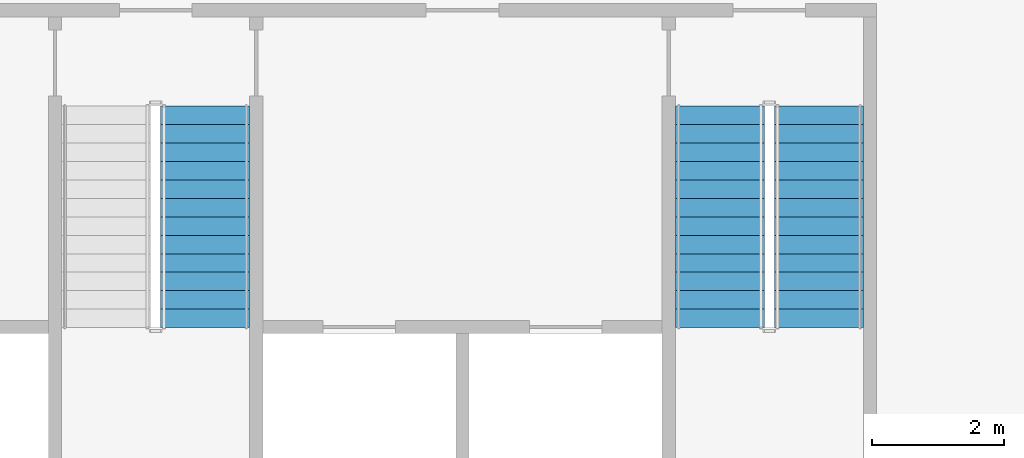
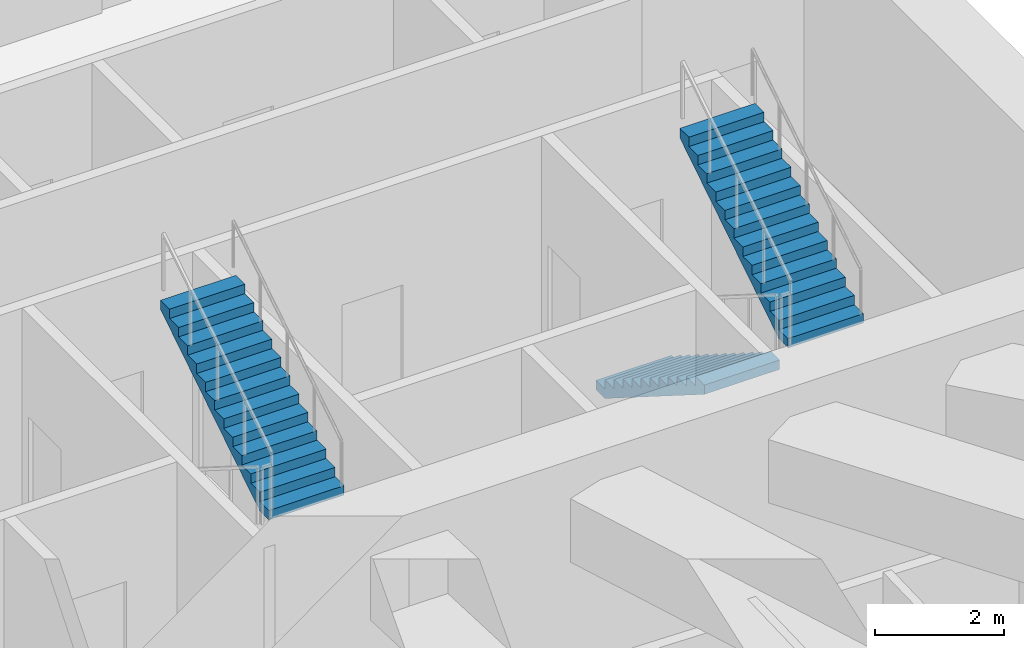
# One storey, part 15 of 20: 3 stair flights, 2 elements without a shape of their own.
"""IFC4 building model written with IfcOpenShell, lengths in metres."""

from ifc_helpers import new_model, si_unit, direction, frame, origin, place, context, subcontext, project, spatial, polyline, outline, extrude, material, type_object, element, aggregate, save


model = new_model("IFC4")

# Units and contexts
model_context = context("Model", 3, precision=1e-05, world=origin(), true_north=direction((0.0, 1.0)))
body_context = subcontext(model_context, "Body", "Model", "MODEL_VIEW")
ifc_project = project(units=[si_unit("LENGTHUNIT", "METRE"), si_unit("AREAUNIT", "SQUARE_METRE"), si_unit("VOLUMEUNIT", "CUBIC_METRE"), si_unit("PLANEANGLEUNIT", "RADIAN"), si_unit("MASSUNIT", "GRAM", prefix="KILO")], contexts=[model_context])

# Site, building, storey
site_placement = place(None, origin())
site = spatial("IfcSite", under=ifc_project, at=site_placement, CompositionType="ELEMENT")
building_placement = place(site_placement, origin())
building = spatial("IfcBuilding", under=site, at=building_placement, Name="Mangrove Gate Tower", CompositionType="ELEMENT")
storey_placement = place(building_placement, frame((0.0, 0.0, 97.300048828125)))
storey = spatial("IfcBuildingStorey", under=building, at=storey_placement, Name="L24", CompositionType="ELEMENT", Elevation=97.300048828125)

# Stair, stair flight
ifc_material_1 = material(Name="Concrete C40/50", Category="concrete")
stair_type = type_object("IfcStairType", Name="Core stair 1350", PredefinedType="HALF_TURN_STAIR", material=ifc_material_1)
stair_1_placement = place(storey_placement, origin())
stair_1 = element("IfcStair", 1, at=stair_1_placement, inside=storey, type_object=stair_type, Name="L24 Stair 2", PredefinedType="HALF_TURN_STAIR")
ifc_material_2 = material(Name="Concrete C40/50", Category="concrete")
stair_flight_type = type_object("IfcStairFlightType", Name="Core stair flight 1350", PredefinedType="STRAIGHT", material=ifc_material_2)
stair_flight_1_placement = place(storey_placement, frame((0.72509765625, -8.010009765625, 2.300048828125), z_axis=(0.0, 0.0, 1.0), x_axis=(0.0, 1.0, 0.0)))
stair_flight_1 = element("IfcStairFlight", 2, at=stair_flight_1_placement, type_object=stair_flight_type, Name="ST2 flight 2", NumberOfRisers=13, NumberOfTreads=12, PredefinedType="STRAIGHT", RiserHeight=0.176923077, TreadLength=0.28, context=body_context, shape_type="SweptSolid", body=[
    extrude(outline(polyline([(0.0, 0.0), (0.0, 0.177001953125), (0.280029296875, 0.177001953125), (0.280029296875, 0.353759765625), (0.56005859375, 0.353759765625), (0.56005859375, 0.53076171875), (0.840087890625, 0.53076171875), (0.840087890625, 0.707763671875), (1.1201171875, 0.707763671875), (1.1201171875, 0.884521484375), (1.39990234375, 0.884521484375), (1.39990234375, 1.0615234375), (1.679931640625, 1.0615234375), (1.679931640625, 1.238525390625), (1.9599609375, 1.238525390625), (1.9599609375, 1.415283203125), (2.239990234375, 1.415283203125), (2.239990234375, 1.59228515625), (2.52001953125, 1.59228515625), (2.52001953125, 1.769287109375), (2.800048828125, 1.769287109375), (2.800048828125, 1.946044921875), (3.080078125, 1.946044921875), (3.080078125, 2.123046875), (3.360107421875, 2.123046875), (3.360107421875, 2.300048828125), (3.360107421875, 1.94580078125), (0.280517578125, 0.0), (0.0, 0.0)])), frame((0.0, 0.675048828125, 0.0), z_axis=(0.0, -1.0, 0.0), x_axis=(1.0, 0.0, 0.0)), (0.0, 0.0, 1.0), 1.35009765625),
])
aggregate(stair_1, [stair_flight_1])

# Stair, stair flights
stair_2_placement = place(storey_placement, origin())
stair_2 = element("IfcStair", 3, at=stair_2_placement, inside=storey, type_object=stair_type, Name="L24 Stair 3", PredefinedType="HALF_TURN_STAIR")
stair_flight_2_placement = place(storey_placement, frame((8.52490234375, -4.64990234375, 0.0), z_axis=(0.0, 0.0, 1.0), x_axis=(0.0, -1.0, 0.0)))
stair_flight_2 = element("IfcStairFlight", 4, at=stair_flight_2_placement, type_object=stair_flight_type, Name="ST3 flight 1", NumberOfRisers=13, NumberOfTreads=12, PredefinedType="STRAIGHT", RiserHeight=0.176923077, TreadLength=0.28, context=body_context, shape_type="SweptSolid", body=[
    extrude(outline(polyline([(0.0, 0.0), (0.0, 0.177001953125), (0.280029296875, 0.177001953125), (0.280029296875, 0.353759765625), (0.56005859375, 0.353759765625), (0.56005859375, 0.53076171875), (0.840087890625, 0.53076171875), (0.840087890625, 0.707763671875), (1.1201171875, 0.707763671875), (1.1201171875, 0.884521484375), (1.39990234375, 0.884521484375), (1.39990234375, 1.0615234375), (1.679931640625, 1.0615234375), (1.679931640625, 1.238525390625), (1.9599609375, 1.238525390625), (1.9599609375, 1.415283203125), (2.239990234375, 1.415283203125), (2.239990234375, 1.59228515625), (2.52001953125, 1.59228515625), (2.52001953125, 1.769287109375), (2.800048828125, 1.769287109375), (2.800048828125, 1.946044921875), (3.080078125, 1.946044921875), (3.080078125, 2.123046875), (3.360107421875, 2.123046875), (3.360107421875, 2.300048828125), (3.360107421875, 1.94580078125), (0.280517578125, 0.0), (0.0, 0.0)])), frame((0.0, 0.675048828125, 0.0), z_axis=(0.0, -1.0, 0.0), x_axis=(1.0, 0.0, 0.0)), (0.0, 0.0, 1.0), 1.35009765625),
])
stair_flight_3_placement = place(storey_placement, frame((10.02490234375, -8.010009765625, 2.300048828125), z_axis=(0.0, 0.0, 1.0), x_axis=(0.0, 1.0, 0.0)))
stair_flight_3 = element("IfcStairFlight", 5, at=stair_flight_3_placement, type_object=stair_flight_type, Name="ST3 flight 2", NumberOfRisers=13, NumberOfTreads=12, PredefinedType="STRAIGHT", RiserHeight=0.176923077, TreadLength=0.28, context=body_context, shape_type="SweptSolid", body=[
    extrude(outline(polyline([(0.0, 0.0), (0.0, 0.177001953125), (0.280029296875, 0.177001953125), (0.280029296875, 0.353759765625), (0.56005859375, 0.353759765625), (0.56005859375, 0.53076171875), (0.840087890625, 0.53076171875), (0.840087890625, 0.707763671875), (1.1201171875, 0.707763671875), (1.1201171875, 0.884521484375), (1.39990234375, 0.884521484375), (1.39990234375, 1.0615234375), (1.679931640625, 1.0615234375), (1.679931640625, 1.238525390625), (1.9599609375, 1.238525390625), (1.9599609375, 1.415283203125), (2.239990234375, 1.415283203125), (2.239990234375, 1.59228515625), (2.52001953125, 1.59228515625), (2.52001953125, 1.769287109375), (2.800048828125, 1.769287109375), (2.800048828125, 1.946044921875), (3.080078125, 1.946044921875), (3.080078125, 2.123046875), (3.360107421875, 2.123046875), (3.360107421875, 2.300048828125), (3.360107421875, 1.94580078125), (0.280517578125, 0.0), (0.0, 0.0)])), frame((0.0, 0.675048828125, 0.0), z_axis=(0.0, -1.0, 0.0), x_axis=(1.0, 0.0, 0.0)), (0.0, 0.0, 1.0), 1.35009765625),
])
aggregate(stair_2, [stair_flight_2, stair_flight_3])

save(model, "model.ifc")
